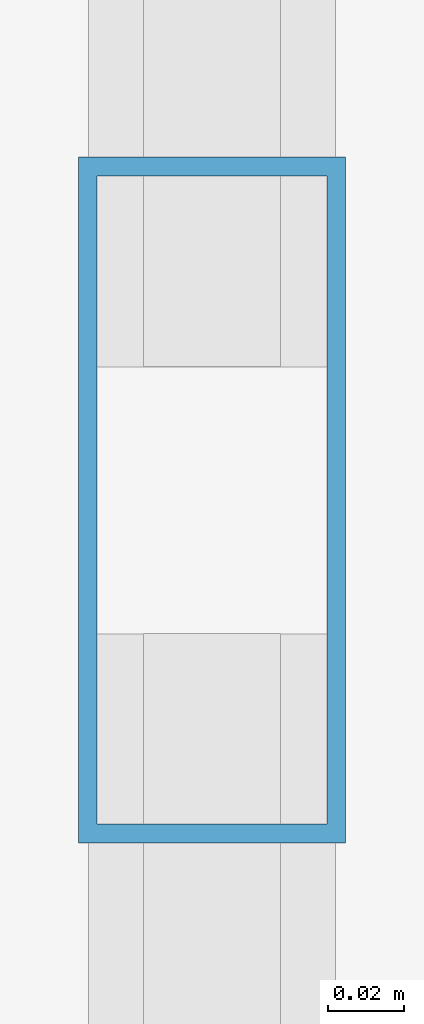
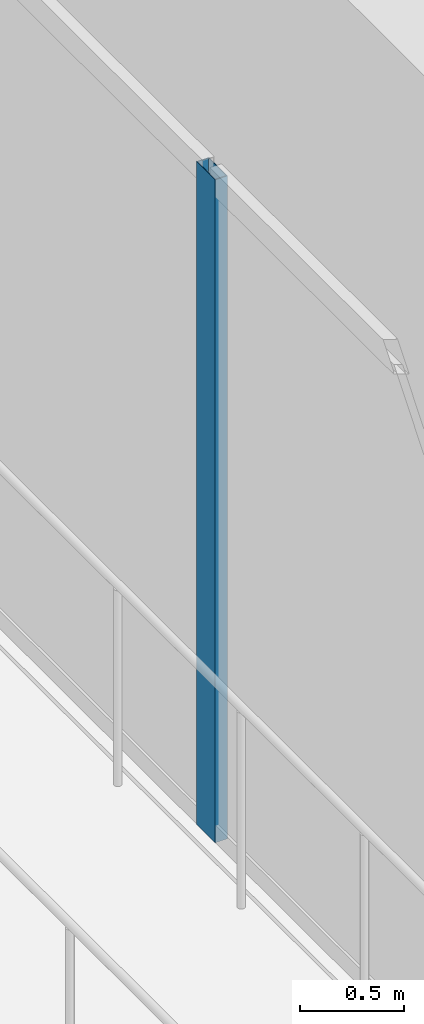
# One storey, part 9 of 34: 1 member, 1 element without a shape of its own.
"""IFC4 building model written with IfcOpenShell, lengths in metres."""

from ifc_helpers import new_model, si_unit, direction, frame, origin, origin_2d, place, context, subcontext, project, spatial, hollow_rectangle, extrude, source, transform, mapped, material, layer, layer_set, material_profile, profile_set, type_object, type_shapes, element, aggregate, save


model = new_model("IFC4")

# Units and contexts
model_context = context("Model", 3, precision=1e-05, world=origin(), true_north=direction((0.0, 1.0)))
body_context = subcontext(model_context, "Body", "Model", "MODEL_VIEW")
ifc_project = project(units=[si_unit("LENGTHUNIT", "METRE"), si_unit("AREAUNIT", "SQUARE_METRE"), si_unit("VOLUMEUNIT", "CUBIC_METRE"), si_unit("PLANEANGLEUNIT", "RADIAN"), si_unit("MASSUNIT", "GRAM", prefix="KILO")], contexts=[model_context])

# Site, building, storey
site_placement = place(None, origin())
site = spatial("IfcSite", under=ifc_project, at=site_placement, CompositionType="ELEMENT")
building_placement = place(site_placement, origin())
building = spatial("IfcBuilding", under=site, at=building_placement, Name="Haelvirn Gate Laboratories", CompositionType="ELEMENT")
storey_placement = place(building_placement, frame((0.0, 0.0, 297.60009765625)))
storey = spatial("IfcBuildingStorey", under=building, at=storey_placement, Name="L71", CompositionType="ELEMENT", Elevation=297.60009765625)

# Curtain wall, member
ifc_material_1 = material(Name="Anodised bronze unitised aluminium & triple low-E glass", Category="aluminium")
ifc_layer = layer(ifc_material_1, 0.176025390625, Name="CW-SYS-4")
ifc_layer_set = layer_set([ifc_layer], Name="Anodised bronze unitised aluminium & triple low-E glass")
curtain_wall_type = type_object("IfcCurtainWallType", Name="CW-SYS-4", PredefinedType="NOTDEFINED", material=ifc_layer_set)
curtain_wall_placement = place(storey_placement, origin())
curtain_wall = element("IfcCurtainWall", 1, at=curtain_wall_placement, inside=storey, type_object=curtain_wall_type, Name="L71 Unitised Curtain Wall CW-L71-P0-E17", PredefinedType="NOTDEFINED")
ifc_material_2 = material(Name="Extruded aluminium 6063-T6 (anodised bronze)", Category="aluminium")
ifc_material_profile = material_profile(ifc_material_2, hollow_rectangle(XDim=0.070068359375, YDim=0.179931640625, WallThickness=0.0048828125, at=origin_2d()), Name="CWM-180x70x5")
ifc_profile_set = profile_set([ifc_material_profile], Name="Extruded aluminium 6063-T6 (anodised bronze)")
member_type = type_object("IfcMemberType", Name="CWM-T180", PredefinedType="MULLION", material=ifc_profile_set)
shared_shape = source(origin(), body_context, "Body", "SweptSolid", [
    extrude(hollow_rectangle(XDim=0.070068359375, YDim=0.179931640625, WallThickness=0.0048828125, at=origin_2d()), origin(), (0.0, 0.0, 1.0), 3.89990234375),
])
type_shapes(member_type, [shared_shape])
member_placement = place(storey_placement, frame((5.89990234375, 24.300048828125, 0.0), z_axis=(0.0, 0.0, 1.0), x_axis=(1.0, 0.0, 0.0)))
member = element("IfcMember", 2, at=member_placement, type_object=member_type, Name="CW4 mullion 2", PredefinedType="MULLION", context=body_context, shape_type="MappedRepresentation", body=[
    mapped(shared_shape, transform((0.0, 0.0, 0.0), scale=1.0)),
])
aggregate(curtain_wall, [member])

save(model, "model.ifc")
